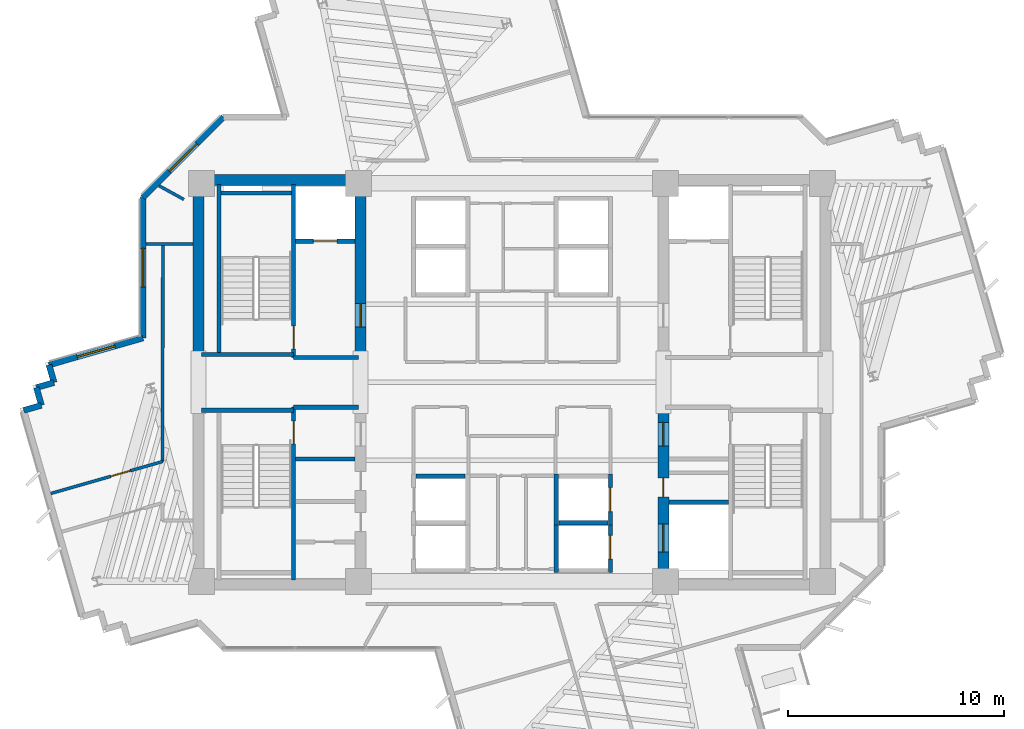
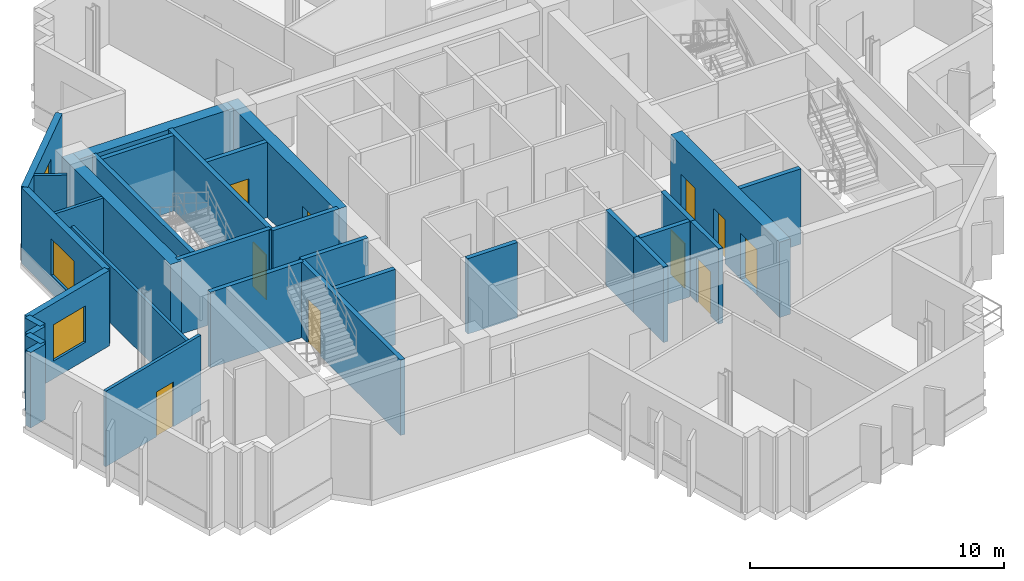
# One storey, part 6 of 14: 32 walls, 10 doors, 3 windows, 13 openings.
"""IFC4 building model written with IfcOpenShell, lengths in metres."""

import ifcopenshell
import ifcopenshell.guid

model = None  # the IFC model being written
_history = None  # IfcOwnerHistory: only IFC2X3 demands one
_inside = {}  # id of a spatial element -> (the spatial element, [elements in it])
_under = {}  # id of a project, library or spatial element -> (it, [spatial elements below it])
_declared = {}  # id of a project -> (the project, [libraries it declares])
_typed = {}  # id of a type object -> (the type object, [elements of that type])
_made_of = {}  # id of a material, layer set ... -> (it, [elements and type objects made of it])


def new_model(schema):
    """Start an empty IFC model of exactly this schema.

    Asked for "IFC4X3", IfcOpenShell would pick the latest addendum, in which some entities
    have other attributes; the version numbers below select the first issue.
    IFC2X3 requires an IfcOwnerHistory on every rooted entity: one is made here for all.
    """
    global model, _history
    if schema == "IFC4X3":
        model = ifcopenshell.file(schema_version=(4, 3, 0, 0))
    else:
        model = ifcopenshell.file(schema=schema)
    _inside.clear()
    _under.clear()
    _declared.clear()
    _typed.clear()
    _made_of.clear()
    _history = None
    if model.schema == "IFC2X3":
        org = make("IfcOrganization", Name="unknown")
        user = make(
            "IfcPersonAndOrganization",
            ThePerson=make("IfcPerson", FamilyName="unknown"),
            TheOrganization=org,
        )
        app = make(
            "IfcApplication",
            ApplicationDeveloper=org,
            Version="unknown",
            ApplicationFullName="unknown",
            ApplicationIdentifier="unknown",
        )
        _history = make(
            "IfcOwnerHistory",
            OwningUser=user,
            OwningApplication=app,
            ChangeAction="ADDED",
            CreationDate=0,
        )
    return model


def make(cls, **values):
    """One entity of the class cls with the attributes given. An attribute that is None is left unset."""
    return model.create_entity(
        cls, **{name: value for name, value in values.items() if value is not None}
    )


def rooted(cls, **values):
    """An entity with a GlobalId (a new one), such as an element, a storey or a relation."""
    return make(cls, GlobalId=ifcopenshell.guid.new(), OwnerHistory=_history, **values)


def si_unit(unit_type, name, prefix=None):
    """IfcSIUnit, for example si_unit("LENGTHUNIT", "METRE", prefix="MILLI")."""
    return make("IfcSIUnit", UnitType=unit_type, Prefix=prefix, Name=name)


def assignment(units):
    """IfcUnitAssignment: the units of a project."""
    return None if units is None else make("IfcUnitAssignment", Units=units)


def point(xyz):
    """IfcCartesianPoint."""
    return None if xyz is None else make("IfcCartesianPoint", Coordinates=xyz)


def direction(xyz):
    """IfcDirection."""
    return None if xyz is None else make("IfcDirection", DirectionRatios=xyz)


def frame(location, z_axis=None, x_axis=None):
    """IfcAxis2Placement3D, a coordinate frame: its origin and axes. An axis left out is left unset."""
    return make(
        "IfcAxis2Placement3D",
        Location=point(location),
        Axis=direction(z_axis),
        RefDirection=direction(x_axis),
    )


def frame_2d(location, x_axis=None):
    """IfcAxis2Placement2D, a coordinate frame in the plane: its origin and x axis."""
    return make(
        "IfcAxis2Placement2D", Location=point(location), RefDirection=direction(x_axis)
    )


def origin():
    """The frame at (0, 0, 0) with its axes left unset."""
    return frame((0.0, 0.0, 0.0))


def place(relative_to, where):
    """IfcLocalPlacement: puts the frame where relative to a parent placement (None: the world)."""
    return make(
        "IfcLocalPlacement", PlacementRelTo=relative_to, RelativePlacement=where
    )


def context(
    kind, dimensions, precision=None, world=None, true_north=None, identifier=None
):
    """IfcGeometricRepresentationContext, for example the 3D "Model" context."""
    return make(
        "IfcGeometricRepresentationContext",
        ContextIdentifier=identifier,
        ContextType=kind,
        CoordinateSpaceDimension=dimensions,
        Precision=precision,
        WorldCoordinateSystem=world,
        TrueNorth=true_north,
    )


def subcontext(parent, identifier, kind, view, scale=None):
    """IfcGeometricRepresentationSubContext, for example "Body" below "Model"."""
    return make(
        "IfcGeometricRepresentationSubContext",
        ContextIdentifier=identifier,
        ContextType=kind,
        ParentContext=parent,
        TargetScale=scale,
        TargetView=view,
    )


def project(units=None, contexts=None):
    """IfcProject with its units and contexts."""
    return rooted(
        "IfcProject",
        Name="project",
        RepresentationContexts=contexts,
        UnitsInContext=assignment(units),
    )


def spatial(cls, under=None, at=None, **own):
    """A site, building, storey or space (cls), placed at a placement, below another one or the project."""
    s = rooted(cls, ObjectPlacement=at, **own)
    if under is not None:
        _under.setdefault(under.id(), (under, []))[1].append(s)
    return s


def profile(cls, at=None, kind="AREA", **sizes):
    """A parametric profile (cls). Its sizes go by their IFC names, for example OverallWidth=200.0."""
    return make(cls, ProfileType=kind, Position=at, **sizes)


def rectangle(**sizes):
    """IfcRectangleProfileDef."""
    return profile("IfcRectangleProfileDef", **sizes)


def extrude(swept, where, along, depth):
    """IfcExtrudedAreaSolid: the profile swept, set in the frame where, extruded along a direction by depth."""
    return make(
        "IfcExtrudedAreaSolid",
        SweptArea=swept,
        Position=where,
        ExtrudedDirection=direction(along),
        Depth=depth,
    )


def shape(context_of_items, identifier, shape_type, items):
    """IfcShapeRepresentation: the items that make up one representation, for example the "Body"."""
    return make(
        "IfcShapeRepresentation",
        ContextOfItems=context_of_items,
        RepresentationIdentifier=identifier,
        RepresentationType=shape_type,
        Items=items,
    )


def source(mapping_origin, context_of_items, identifier, shape_type, items):
    """IfcRepresentationMap: a shape defined once, which mapped items show again and again."""
    return make(
        "IfcRepresentationMap",
        MappingOrigin=mapping_origin,
        MappedRepresentation=shape(context_of_items, identifier, shape_type, items),
    )


def transform(
    local_origin,
    x_axis=None,
    y_axis=None,
    z_axis=None,
    scale=None,
    scale2=None,
    scale3=None,
    uniform=True,
):
    """IfcCartesianTransformationOperator3D, or its non-uniform kind. x_axis, y_axis, z_axis: its Axis1, 2, 3."""
    if uniform:
        return make(
            "IfcCartesianTransformationOperator3D",
            Axis1=direction(x_axis),
            Axis2=direction(y_axis),
            LocalOrigin=point(local_origin),
            Scale=scale,
            Axis3=direction(z_axis),
        )
    return make(
        "IfcCartesianTransformationOperator3DnonUniform",
        Axis1=direction(x_axis),
        Axis2=direction(y_axis),
        LocalOrigin=point(local_origin),
        Scale=scale,
        Axis3=direction(z_axis),
        Scale2=scale2,
        Scale3=scale3,
    )


def mapped(mapping_source, mapping_target):
    """IfcMappedItem: shows the shape of a source again, moved by a transform."""
    return make(
        "IfcMappedItem", MappingSource=mapping_source, MappingTarget=mapping_target
    )


def material(Name=None, Category=None):
    """IfcMaterial."""
    return make("IfcMaterial", Name=Name, Category=Category)


def layer(
    of_material, thickness, ventilated=None, Name=None, Category=None, Priority=None
):
    """IfcMaterialLayer: one layer of a wall or slab, of a material (None: an air gap)."""
    return make(
        "IfcMaterialLayer",
        Material=of_material,
        LayerThickness=thickness,
        IsVentilated=ventilated,
        Name=Name,
        Category=Category,
        Priority=Priority,
    )


def layer_set(layers, Name=None):
    """IfcMaterialLayerSet."""
    return make("IfcMaterialLayerSet", MaterialLayers=layers, LayerSetName=Name)


def made_of(thing, what):
    """Note that an element or type object is made of a material, layer set ...; save() writes the relation."""
    if what is not None:
        _made_of.setdefault(what.id(), (what, []))[1].append(thing)
    return thing


def type_object(cls, material=None, **own):
    """A type object (cls), such as IfcWallType, which elements share."""
    return made_of(rooted(cls, **own), material)


def element(
    cls,
    number,
    at=None,
    inside=None,
    cuts=None,
    type_object=None,
    material=None,
    context=None,
    identifier="Body",
    shape_type=None,
    held_by="IfcProductDefinitionShape",
    body=None,
    shapes=None,
    **own,
):
    """One element of the class cls, such as IfcWall. Its Tag is "e" and its number.

    at: its placement. inside: the storey or other place that contains it. cuts: it is an
    opening in that element (IfcRelVoidsElement). A single representation is given by context,
    identifier, shape_type and body (its items); several are given by shapes. held_by: the class
    of the entity that holds the representations. save() writes the other relations.
    """
    e = rooted(cls, Tag="e%d" % number, ObjectPlacement=at, **own)
    if body is not None:
        shapes = [shape(context, identifier, shape_type, body)]
    if shapes is not None:
        e.Representation = make(held_by, Representations=shapes)
    if inside is not None:
        _inside.setdefault(inside.id(), (inside, []))[1].append(e)
    if cuts is not None:
        rooted(
            "IfcRelVoidsElement", RelatingBuildingElement=cuts, RelatedOpeningElement=e
        )
    if type_object is not None:
        _typed.setdefault(type_object.id(), (type_object, []))[1].append(e)
    return made_of(e, material)


def fill(opening, filler):
    """IfcRelFillsElement: the door or window that sits in an opening."""
    return rooted(
        "IfcRelFillsElement",
        RelatingOpeningElement=opening,
        RelatedBuildingElement=filler,
    )


def aggregate(whole, parts):
    """IfcRelAggregates: a whole, such as a stair, and the parts it consists of."""
    return rooted("IfcRelAggregates", RelatingObject=whole, RelatedObjects=parts)


def save(model, path):
    """Write the relations noted so far, then the file.

    IfcRelAggregates (storeys below a building ...), IfcRelContainedInSpatialStructure (elements
    in a storey), IfcRelDefinesByType, IfcRelAssociatesMaterial and IfcRelDeclares: one each for
    every whole, place, type object, material and project.
    """
    for whole, parts in _under.values():
        aggregate(whole, parts)
    for where, things in _inside.values():
        rooted(
            "IfcRelContainedInSpatialStructure",
            RelatedElements=things,
            RelatingStructure=where,
        )
    for kind, things in _typed.values():
        rooted("IfcRelDefinesByType", RelatedObjects=things, RelatingType=kind)
    for what, things in _made_of.values():
        rooted("IfcRelAssociatesMaterial", RelatedObjects=things, RelatingMaterial=what)
    for by, libraries in _declared.values():
        rooted("IfcRelDeclares", RelatingContext=by, RelatedDefinitions=libraries)
    model.write(path)


model = new_model("IFC4")

# Units and contexts
model_context = context("Model", 3, precision=1e-05, world=origin(), true_north=direction((0.0, 1.0)))
body_context = subcontext(model_context, "Body", "Model", "MODEL_VIEW")
ifc_project = project(units=[si_unit("LENGTHUNIT", "METRE"), si_unit("AREAUNIT", "SQUARE_METRE"), si_unit("VOLUMEUNIT", "CUBIC_METRE"), si_unit("PLANEANGLEUNIT", "RADIAN"), si_unit("MASSUNIT", "GRAM", prefix="KILO")], contexts=[model_context])

# Site, building, storey
site_placement = place(None, origin())
site = spatial("IfcSite", under=ifc_project, at=site_placement, CompositionType="ELEMENT")
building_placement = place(site_placement, origin())
building = spatial("IfcBuilding", under=site, at=building_placement, Name="Zahravan Cultural Tower", CompositionType="ELEMENT")
storey_placement = place(building_placement, frame((0.0, 0.0, 209.699951171875)))
storey = spatial("IfcBuildingStorey", under=building, at=storey_placement, Name="L49", CompositionType="ELEMENT", Elevation=209.699951171875)

# Wall, opening, door
ifc_material_1 = material(Name="Concrete C60/75", Category="concrete")
ifc_layer_1 = layer(ifc_material_1, 0.5)
ifc_layer_set_1 = layer_set([ifc_layer_1], Name="Concrete C60/75")
wall_type_1 = type_object("IfcWallType", Name="CW-SHEAR-500-C60", PredefinedType="SHEAR", material=ifc_layer_set_1)
wall_1_placement = place(storey_placement, frame((29.0, 28.050048828125, 0.0), z_axis=(0.0, 0.0, 1.0), x_axis=(0.0, 1.0, 0.0)))
wall_1 = element("IfcWall", 1, at=wall_1_placement, inside=storey, type_object=wall_type_1, Name="L49 Core Shear Wall CW-W-EN-L49", PredefinedType="SHEAR", context=body_context, shape_type="SweptSolid", body=[
    extrude(rectangle(XDim=8.550048828125, YDim=0.5, at=frame_2d((4.27490234375, 0.0))), origin(), (0.0, 0.0, 1.0), 3.6201171875),
])
opening_1_placement = place(wall_1_placement, frame((1.5, 0.0, 0.0)))
opening_1 = element("IfcOpeningElement", 2, at=opening_1_placement, cuts=wall_1, Name="Opening D-L49-05", PredefinedType="OPENING", context=body_context, shape_type="SweptSolid", body=[
    extrude(rectangle(XDim=1.10009765625, YDim=2.199951171875, at=frame_2d((0.550048828125, 1.10009765625))), frame((0.0, 0.260009765625, 0.0), z_axis=(0.0, -1.0, 0.0), x_axis=(1.0, 0.0, 0.0)), (0.0, 0.0, 1.0), 0.52001953125),
])
ifc_material_2 = material(Name="Steel ASTM A572 Grade 50", Category="steel")
door_type_1 = type_object("IfcDoorType", Name="DR-LOBBY-1100", OperationType="NOTDEFINED", PredefinedType="DOOR", material=ifc_material_2)
shared_shape_1 = source(origin(), body_context, "Body", "SweptSolid", [
    extrude(rectangle(XDim=1.10009765625, YDim=2.199951171875, at=frame_2d((0.550048828125, 1.10009765625))), frame((0.0, 0.02490234375, 0.0), z_axis=(0.0, -1.0, 0.0), x_axis=(1.0, 0.0, 0.0)), (0.0, 0.0, 1.0), 0.050048828125),
])
door_1_placement = place(opening_1_placement, origin())
door_1 = element("IfcDoor", 3, at=door_1_placement, inside=storey, type_object=door_type_1, Name="L49 Door D-L49-05", OperationType="SINGLE_SWING_LEFT", OverallHeight=2.199951171875, OverallWidth=1.10009765625, PredefinedType="DOOR", context=body_context, shape_type="MappedRepresentation", body=[
    mapped(shared_shape_1, transform((0.0, 0.0, 0.0), x_axis=(1.0, 0.0, 0.0), y_axis=(0.0, 1.0, 0.0), z_axis=(0.0, 0.0, 1.0), scale=1.0)),
])
fill(opening_1, door_1)

# Wall, openings, doors
wall_2_placement = place(storey_placement, frame((43.0, 17.39990234375, 0.0), z_axis=(0.0, 0.0, 1.0), x_axis=(0.0, 1.0, 0.0)))
wall_2 = element("IfcWall", 4, at=wall_2_placement, inside=storey, type_object=wall_type_1, Name="L49 Core Shear Wall CW-E-WS-L49", PredefinedType="SHEAR", context=body_context, shape_type="SweptSolid", body=[
    extrude(rectangle(XDim=8.550048828125, YDim=0.5, at=frame_2d((4.27490234375, 0.0))), origin(), (0.0, 0.0, 1.0), 3.6201171875),
])
opening_2_placement = place(wall_2_placement, frame((6.64990234375, 0.0, 0.0)))
opening_2 = element("IfcOpeningElement", 5, at=opening_2_placement, cuts=wall_2, Name="Opening D-L49-08", PredefinedType="OPENING", context=body_context, shape_type="SweptSolid", body=[
    extrude(rectangle(XDim=1.10009765625, YDim=2.199951171875, at=frame_2d((0.550048828125, 1.10009765625))), frame((0.0, 0.260009765625, 0.0), z_axis=(0.0, -1.0, 0.0), x_axis=(1.0, 0.0, 0.0)), (0.0, 0.0, 1.0), 0.52001953125),
])
opening_3_placement = place(wall_2_placement, frame((1.75, 0.0, 0.0)))
opening_3 = element("IfcOpeningElement", 6, at=opening_3_placement, cuts=wall_2, Name="Opening LD-L49-03", PredefinedType="OPENING", context=body_context, shape_type="SweptSolid", body=[
    extrude(rectangle(XDim=1.300048828125, YDim=2.199951171875, at=frame_2d((0.64990234375, 1.10009765625))), frame((0.0, 0.260009765625, 0.0), z_axis=(0.0, -1.0, 0.0), x_axis=(1.0, 0.0, 0.0)), (0.0, 0.0, 1.0), 0.52001953125),
])
opening_4_placement = place(wall_2_placement, frame((4.300048828125, 0.0, 0.0)))
opening_4 = element("IfcOpeningElement", 7, at=opening_4_placement, cuts=wall_2, Name="Opening D-L49-12", PredefinedType="OPENING", context=body_context, shape_type="SweptSolid", body=[
    extrude(rectangle(XDim=0.8798828125, YDim=2.10009765625, at=frame_2d((0.43994140625, 1.050048828125))), frame((0.0, 0.260009765625, 0.0), z_axis=(0.0, -1.0, 0.0), x_axis=(1.0, 0.0, 0.0)), (0.0, 0.0, 1.0), 0.52001953125),
])
door_2_placement = place(opening_2_placement, origin())
door_2 = element("IfcDoor", 8, at=door_2_placement, inside=storey, type_object=door_type_1, Name="L49 Door D-L49-08", OperationType="SINGLE_SWING_RIGHT", OverallHeight=2.199951171875, OverallWidth=1.10009765625, PredefinedType="DOOR", context=body_context, shape_type="MappedRepresentation", body=[
    mapped(shared_shape_1, transform((0.0, 0.0, 0.0), x_axis=(1.0, 0.0, 0.0), y_axis=(0.0, 1.0, 0.0), z_axis=(0.0, 0.0, 1.0), scale=1.0)),
])
fill(opening_2, door_2)
door_type_2 = type_object("IfcDoorType", Name="DR-LIFT-1300", OperationType="DOUBLE_DOOR_SLIDING", PredefinedType="DOOR", material=ifc_material_2)
shared_shape_2 = source(origin(), body_context, "Body", "SweptSolid", [
    extrude(rectangle(XDim=1.300048828125, YDim=2.199951171875, at=frame_2d((0.64990234375, 1.10009765625))), frame((0.0, 0.02490234375, 0.0), z_axis=(0.0, -1.0, 0.0), x_axis=(1.0, 0.0, 0.0)), (0.0, 0.0, 1.0), 0.050048828125),
])
door_3_placement = place(opening_3_placement, origin())
door_3 = element("IfcDoor", 9, at=door_3_placement, inside=storey, type_object=door_type_2, Name="L49 Door LD-L49-03", OperationType="DOUBLE_DOOR_SLIDING", OverallHeight=2.199951171875, OverallWidth=1.300048828125, PredefinedType="DOOR", context=body_context, shape_type="MappedRepresentation", body=[
    mapped(shared_shape_2, transform((0.0, 0.0, 0.0), x_axis=(1.0, 0.0, 0.0), y_axis=(0.0, 1.0, 0.0), z_axis=(0.0, 0.0, 1.0), scale=1.0)),
])
fill(opening_3, door_3)
door_type_3 = type_object("IfcDoorType", Name="DR-SVC-880", OperationType="NOTDEFINED", PredefinedType="DOOR", material=ifc_material_2)
shared_shape_3 = source(origin(), body_context, "Body", "SweptSolid", [
    extrude(rectangle(XDim=0.8798828125, YDim=2.10009765625, at=frame_2d((0.43994140625, 1.050048828125))), frame((0.0, 0.02490234375, 0.0), z_axis=(0.0, -1.0, 0.0), x_axis=(1.0, 0.0, 0.0)), (0.0, 0.0, 1.0), 0.050048828125),
])
door_4_placement = place(opening_4_placement, origin())
door_4 = element("IfcDoor", 10, at=door_4_placement, inside=storey, type_object=door_type_3, Name="L49 Door D-L49-12", OperationType="SINGLE_SWING_RIGHT", OverallHeight=2.10009765625, OverallWidth=0.8798828125, PredefinedType="DOOR", context=body_context, shape_type="MappedRepresentation", body=[
    mapped(shared_shape_3, transform((0.0, 0.0, 0.0), x_axis=(1.0, 0.0, 0.0), y_axis=(0.0, 1.0, 0.0), z_axis=(0.0, 0.0, 1.0), scale=1.0)),
])
fill(opening_4, door_4)

# Wall, opening, window
ifc_material_3 = material(Name="Precast concrete C40/50", Category="concrete")
ifc_layer_2 = layer(ifc_material_3, 0.280029296875)
ifc_layer_set_2 = layer_set([ifc_layer_2], Name="Precast concrete C40/50")
wall_type_2 = type_object("IfcWallType", Name="EW-TC-280", PredefinedType="SOLIDWALL", material=ifc_layer_set_2)
wall_3_placement = place(storey_placement, frame((14.593505859375, 27.804931640625, 0.0), z_axis=(0.0, 0.0, 1.0), x_axis=(0.961446468673, 0.274992159663, 0.0)))
wall_3 = element("IfcWall", 11, at=wall_3_placement, inside=storey, type_object=wall_type_2, Name="L49 Exterior Masonry Frame Wall 37", PredefinedType="SOLIDWALL", context=body_context, shape_type="SweptSolid", body=[
    extrude(rectangle(XDim=4.520751953125, YDim=0.280029296875, at=frame_2d((2.26025390625, 0.0))), origin(), (0.0, 0.0, 1.0), 3.6201171875),
])
opening_5_placement = place(wall_3_placement, frame((1.360107421875, 0.0, 0.85009765625)))
opening_5 = element("IfcOpeningElement", 12, at=opening_5_placement, cuts=wall_3, Name="Opening WN-02", PredefinedType="OPENING", context=body_context, shape_type="SweptSolid", body=[
    extrude(rectangle(XDim=1.800048828125, YDim=1.75, at=frame_2d((0.89990234375, 0.875))), frame((0.0, 0.14990234375, 0.0), z_axis=(0.0, -1.0, 0.0), x_axis=(1.0, 0.0, 0.0)), (0.0, 0.0, 1.0), 0.300048828125),
])
ifc_material_4 = material(Name="Low-E solar-control double glazing", Category="glass")
window_type = type_object("IfcWindowType", Name="WN-REC-1800X1750", PartitioningType="DOUBLE_PANEL_VERTICAL", PredefinedType="WINDOW", material=ifc_material_4)
shared_shape_4 = source(origin(), body_context, "Body", "SweptSolid", [
    extrude(rectangle(XDim=1.800048828125, YDim=1.75, at=frame_2d((0.89990234375, 0.875))), frame((0.0, 0.030029296875, 0.0), z_axis=(0.0, -1.0, 0.0), x_axis=(1.0, 0.0, 0.0)), (0.0, 0.0, 1.0), 0.06005859375),
])
window_1_placement = place(opening_5_placement, origin())
window_1 = element("IfcWindow", 13, at=window_1_placement, inside=storey, type_object=window_type, Name="L49 Recessed Solar Window 04", OverallHeight=1.75, OverallWidth=1.800048828125, PartitioningType="DOUBLE_PANEL_VERTICAL", PredefinedType="WINDOW", context=body_context, shape_type="MappedRepresentation", body=[
    mapped(shared_shape_4, transform((0.0, 0.0, 0.0), x_axis=(1.0, 0.0, 0.0), y_axis=(0.0, 1.0, 0.0), z_axis=(0.0, 0.0, 1.0), scale=1.0)),
])
fill(opening_5, window_1)

wall_4_placement = place(storey_placement, frame((18.93994140625, 29.048095703125, 0.0), z_axis=(0.0, 0.0, 1.0), x_axis=(0.0, 1.0, 0.0)))
wall_4 = element("IfcWall", 14, at=wall_4_placement, inside=storey, type_object=wall_type_2, Name="L49 Exterior Masonry Frame Wall 38", PredefinedType="SOLIDWALL", context=body_context, shape_type="SweptSolid", body=[
    extrude(rectangle(XDim=6.493896484375, YDim=0.280029296875, at=frame_2d((3.2470703125, 0.0))), origin(), (0.0, 0.0, 1.0), 3.6201171875),
])
opening_6_placement = place(wall_4_placement, frame((2.346923828125, 0.0, 0.85009765625)))
opening_6 = element("IfcOpeningElement", 15, at=opening_6_placement, cuts=wall_4, Name="Opening WN-02", PredefinedType="OPENING", context=body_context, shape_type="SweptSolid", body=[
    extrude(rectangle(XDim=1.800048828125, YDim=1.75, at=frame_2d((0.89990234375, 0.875))), frame((0.0, 0.14990234375, 0.0), z_axis=(0.0, -1.0, 0.0), x_axis=(1.0, 0.0, 0.0)), (0.0, 0.0, 1.0), 0.300048828125),
])
window_2_placement = place(opening_6_placement, origin())
window_2 = element("IfcWindow", 16, at=window_2_placement, inside=storey, type_object=window_type, Name="L49 Recessed Solar Window 05", OverallHeight=1.75, OverallWidth=1.800048828125, PartitioningType="DOUBLE_PANEL_VERTICAL", PredefinedType="WINDOW", context=body_context, shape_type="MappedRepresentation", body=[
    mapped(shared_shape_4, transform((0.0, 0.0, 0.0), x_axis=(1.0, 0.0, 0.0), y_axis=(0.0, 1.0, 0.0), z_axis=(0.0, 0.0, 1.0), scale=1.0)),
])
fill(opening_6, window_2)

wall_5_placement = place(storey_placement, frame((18.93994140625, 35.5419921875, 0.0), z_axis=(0.0, 0.0, 1.0), x_axis=(0.707106781187, 0.707106781187, 0.0)))
wall_5 = element("IfcWall", 17, at=wall_5_placement, inside=storey, type_object=wall_type_2, Name="L49 Exterior Masonry Frame Wall 39", PredefinedType="SOLIDWALL", context=body_context, shape_type="SweptSolid", body=[
    extrude(rectangle(XDim=5.258056640625, YDim=0.280029296875, at=frame_2d((2.62890625, 0.0))), origin(), (0.0, 0.0, 1.0), 3.6201171875),
])
opening_7_placement = place(wall_5_placement, frame((1.72900390625, 0.0, 0.85009765625)))
opening_7 = element("IfcOpeningElement", 18, at=opening_7_placement, cuts=wall_5, Name="Opening WN-02", PredefinedType="OPENING", context=body_context, shape_type="SweptSolid", body=[
    extrude(rectangle(XDim=1.800048828125, YDim=1.75, at=frame_2d((0.89990234375, 0.875))), frame((0.0, 0.14990234375, 0.0), z_axis=(0.0, -1.0, 0.0), x_axis=(1.0, 0.0, 0.0)), (0.0, 0.0, 1.0), 0.300048828125),
])
window_3_placement = place(opening_7_placement, origin())
window_3 = element("IfcWindow", 19, at=window_3_placement, inside=storey, type_object=window_type, Name="L49 Recessed Solar Window 06", OverallHeight=1.75, OverallWidth=1.800048828125, PartitioningType="DOUBLE_PANEL_VERTICAL", PredefinedType="WINDOW", context=body_context, shape_type="MappedRepresentation", body=[
    mapped(shared_shape_4, transform((0.0, 0.0, 0.0), x_axis=(1.0, 0.0, 0.0), y_axis=(0.0, 1.0, 0.0), z_axis=(0.0, 0.0, 1.0), scale=1.0)),
])
fill(opening_7, window_3)

# Wall, opening, door
ifc_material_5 = material(Name="Gypsum plasterboard partition")
ifc_layer_3 = layer(ifc_material_5, 0.139892578125)
ifc_layer_set_3 = layer_set([ifc_layer_3], Name="Gypsum plasterboard partition")
wall_type_3 = type_object("IfcWallType", Name="W-PART-140", PredefinedType="PARTITIONING", material=ifc_layer_set_3)
wall_6_placement = place(storey_placement, frame((19.85009765625, 23.338134765625, 0.0), z_axis=(0.0, 0.0, 1.0), x_axis=(-0.961455430103, -0.274960826164, 0.0)))
wall_6 = element("IfcWall", 20, at=wall_6_placement, inside=storey, type_object=wall_type_3, Name="L49 Interior Wall 105", PredefinedType="PARTITIONING", context=body_context, shape_type="SweptSolid", body=[
    extrude(rectangle(XDim=5.380859375, YDim=0.139892578125, at=frame_2d((2.6904296875, 0.0))), origin(), (0.0, 0.0, 1.0), 3.6201171875),
])
opening_8_placement = place(wall_6_placement, frame((1.55078125, 0.0, 0.0)))
opening_8 = element("IfcOpeningElement", 21, at=opening_8_placement, cuts=wall_6, Name="Opening D-L49-28", PredefinedType="OPENING", context=body_context, shape_type="SweptSolid", body=[
    extrude(rectangle(XDim=0.949951171875, YDim=2.14990234375, at=frame_2d((0.47509765625, 1.074951171875))), frame((0.0, 0.079833984375, 0.0), z_axis=(0.0, -1.0, 0.0), x_axis=(1.0, 0.0, 0.0)), (0.0, 0.0, 1.0), 0.159912109375),
])
ifc_material_6 = material(Name="Anodised bronze-aluminium mullion", Category="aluminium")
door_type_4 = type_object("IfcDoorType", Name="DR-ROOM-950", OperationType="NOTDEFINED", PredefinedType="DOOR", material=ifc_material_6)
shared_shape_5 = source(origin(), body_context, "Body", "SweptSolid", [
    extrude(rectangle(XDim=0.949951171875, YDim=2.14990234375, at=frame_2d((0.47509765625, 1.074951171875))), frame((0.0, 0.02490234375, 0.0), z_axis=(0.0, -1.0, 0.0), x_axis=(1.0, 0.0, 0.0)), (0.0, 0.0, 1.0), 0.050048828125),
])
door_5_placement = place(opening_8_placement, origin())
door_5 = element("IfcDoor", 22, at=door_5_placement, inside=storey, type_object=door_type_4, Name="L49 Door D-L49-28", OperationType="SINGLE_SWING_RIGHT", OverallHeight=2.14990234375, OverallWidth=0.949951171875, PredefinedType="DOOR", context=body_context, shape_type="MappedRepresentation", body=[
    mapped(shared_shape_5, transform((0.0, 0.0, 0.0), x_axis=(1.0, 0.0, 0.0), y_axis=(0.0, 1.0, 0.0), z_axis=(0.0, 0.0, 1.0), scale=1.0)),
])
fill(opening_8, door_5)

ifc_material_7 = material(Name="Concrete C45/55", Category="concrete")
ifc_layer_4 = layer(ifc_material_7, 0.199951171875)
ifc_layer_set_4 = layer_set([ifc_layer_4], Name="Concrete C45/55")
wall_type_4 = type_object("IfcWallType", Name="W-SHAFT-200", PredefinedType="SOLIDWALL", material=ifc_layer_set_4)
wall_7_placement = place(storey_placement, frame((25.89990234375, 17.85009765625, 0.0), z_axis=(0.0, 0.0, 1.0), x_axis=(0.0, 1.0, 0.0)))
wall_7 = element("IfcWall", 23, at=wall_7_placement, inside=storey, type_object=wall_type_4, Name="L49 Interior Wall 005", PredefinedType="SOLIDWALL", context=body_context, shape_type="SweptSolid", body=[
    extrude(rectangle(XDim=8.0, YDim=0.199951171875, at=frame_2d((4.0, 0.0))), origin(), (0.0, 0.0, 1.0), 3.6201171875),
])
opening_9_placement = place(wall_7_placement, frame((6.300048828125, 0.0, 0.0)))
opening_9 = element("IfcOpeningElement", 24, at=opening_9_placement, cuts=wall_7, Name="Opening D-L49-04", PredefinedType="OPENING", context=body_context, shape_type="SweptSolid", body=[
    extrude(rectangle(XDim=1.050048828125, YDim=2.14990234375, at=frame_2d((0.52490234375, 1.074951171875))), frame((0.0, 0.10986328125, 0.0), z_axis=(0.0, -1.0, 0.0), x_axis=(1.0, 0.0, 0.0)), (0.0, 0.0, 1.0), 0.219970703125),
])
door_type_5 = type_object("IfcDoorType", Name="DR-STAIR-1050", OperationType="NOTDEFINED", PredefinedType="DOOR", material=ifc_material_2)
shared_shape_6 = source(origin(), body_context, "Body", "SweptSolid", [
    extrude(rectangle(XDim=1.050048828125, YDim=2.14990234375, at=frame_2d((0.52490234375, 1.074951171875))), frame((0.0, 0.02490234375, 0.0), z_axis=(0.0, -1.0, 0.0), x_axis=(1.0, 0.0, 0.0)), (0.0, 0.0, 1.0), 0.050048828125),
])
door_6_placement = place(opening_9_placement, origin())
door_6 = element("IfcDoor", 25, at=door_6_placement, inside=storey, type_object=door_type_5, Name="L49 Door D-L49-04", OperationType="SINGLE_SWING_RIGHT", OverallHeight=2.14990234375, OverallWidth=1.050048828125, PredefinedType="DOOR", context=body_context, shape_type="MappedRepresentation", body=[
    mapped(shared_shape_6, transform((0.0, 0.0, 0.0), x_axis=(1.0, 0.0, 0.0), y_axis=(0.0, 1.0, 0.0), z_axis=(0.0, 0.0, 1.0), scale=1.0)),
])
fill(opening_9, door_6)

wall_8_placement = place(storey_placement, frame((25.89990234375, 28.14990234375, 0.0), z_axis=(0.0, 0.0, 1.0), x_axis=(0.0, 1.0, 0.0)))
wall_8 = element("IfcWall", 26, at=wall_8_placement, inside=storey, type_object=wall_type_4, Name="L49 Interior Wall 006", PredefinedType="SOLIDWALL", context=body_context, shape_type="SweptSolid", body=[
    extrude(rectangle(XDim=8.0, YDim=0.199951171875, at=frame_2d((4.0, 0.0))), origin(), (0.0, 0.0, 1.0), 3.6201171875),
])
opening_10_placement = place(wall_8_placement, frame((0.39990234375, 0.0, 0.0)))
opening_10 = element("IfcOpeningElement", 27, at=opening_10_placement, cuts=wall_8, Name="Opening D-L49-01", PredefinedType="OPENING", context=body_context, shape_type="SweptSolid", body=[
    extrude(rectangle(XDim=1.050048828125, YDim=2.14990234375, at=frame_2d((0.52490234375, 1.074951171875))), frame((0.0, 0.10986328125, 0.0), z_axis=(0.0, -1.0, 0.0), x_axis=(1.0, 0.0, 0.0)), (0.0, 0.0, 1.0), 0.219970703125),
])
door_7_placement = place(opening_10_placement, origin())
door_7 = element("IfcDoor", 28, at=door_7_placement, inside=storey, type_object=door_type_5, Name="L49 Door D-L49-01", OperationType="SINGLE_SWING_LEFT", OverallHeight=2.14990234375, OverallWidth=1.050048828125, PredefinedType="DOOR", context=body_context, shape_type="MappedRepresentation", body=[
    mapped(shared_shape_6, transform((0.0, 0.0, 0.0), x_axis=(1.0, 0.0, 0.0), y_axis=(0.0, 1.0, 0.0), z_axis=(0.0, 0.0, 1.0), scale=1.0)),
])
fill(opening_10, door_7)

wall_9_placement = place(storey_placement, frame((26.0, 33.52001953125, 0.0), z_axis=(0.0, 0.0, 1.0), x_axis=(1.0, 0.0, 0.0)))
wall_9 = element("IfcWall", 29, at=wall_9_placement, inside=storey, type_object=wall_type_4, Name="L49 Interior Wall 021", PredefinedType="SOLIDWALL", context=body_context, shape_type="SweptSolid", body=[
    extrude(rectangle(XDim=2.75, YDim=0.199951171875, at=frame_2d((1.375, 0.0))), origin(), (0.0, 0.0, 1.0), 3.6201171875),
])
opening_11_placement = place(wall_9_placement, frame((0.820068359375, 0.0, 0.0)))
opening_11 = element("IfcOpeningElement", 30, at=opening_11_placement, cuts=wall_9, Name="Opening LD-L49-01", PredefinedType="OPENING", context=body_context, shape_type="SweptSolid", body=[
    extrude(rectangle(XDim=1.10009765625, YDim=2.14990234375, at=frame_2d((0.550048828125, 1.074951171875))), frame((0.0, 0.10986328125, 0.0), z_axis=(0.0, -1.0, 0.0), x_axis=(1.0, 0.0, 0.0)), (0.0, 0.0, 1.0), 0.219970703125),
])
door_type_6 = type_object("IfcDoorType", Name="DR-LIFT-1100", OperationType="DOUBLE_DOOR_SLIDING", PredefinedType="DOOR", material=ifc_material_2)
shared_shape_7 = source(origin(), body_context, "Body", "SweptSolid", [
    extrude(rectangle(XDim=1.10009765625, YDim=2.14990234375, at=frame_2d((0.550048828125, 1.074951171875))), frame((0.0, 0.02490234375, 0.0), z_axis=(0.0, -1.0, 0.0), x_axis=(1.0, 0.0, 0.0)), (0.0, 0.0, 1.0), 0.050048828125),
])
door_8_placement = place(opening_11_placement, origin())
door_8 = element("IfcDoor", 31, at=door_8_placement, inside=storey, type_object=door_type_6, Name="L49 Door LD-L49-01", OperationType="DOUBLE_DOOR_SLIDING", OverallHeight=2.14990234375, OverallWidth=1.10009765625, PredefinedType="DOOR", context=body_context, shape_type="MappedRepresentation", body=[
    mapped(shared_shape_7, transform((0.0, 0.0, 0.0), x_axis=(1.0, 0.0, 0.0), y_axis=(0.0, 1.0, 0.0), z_axis=(0.0, 0.0, 1.0), scale=1.0)),
])
fill(opening_11, door_8)

wall_10_placement = place(storey_placement, frame((40.550048828125, 20.39990234375, 0.0), z_axis=(0.0, 0.0, 1.0), x_axis=(0.0, 1.0, 0.0)))
wall_10 = element("IfcWall", 32, at=wall_10_placement, inside=storey, type_object=wall_type_4, Name="L49 Interior Wall 051", PredefinedType="SOLIDWALL", context=body_context, shape_type="SweptSolid", body=[
    extrude(rectangle(XDim=2.35009765625, YDim=0.199951171875, at=frame_2d((1.175048828125, 0.0))), origin(), (0.0, 0.0, 1.0), 3.6201171875),
])
opening_12_placement = place(wall_10_placement, frame((0.625, 0.0, 0.0)))
opening_12 = element("IfcOpeningElement", 33, at=opening_12_placement, cuts=wall_10, Name="Opening LD-L49-06", PredefinedType="OPENING", context=body_context, shape_type="SweptSolid", body=[
    extrude(rectangle(XDim=1.10009765625, YDim=2.14990234375, at=frame_2d((0.550048828125, 1.074951171875))), frame((0.0, 0.10986328125, 0.0), z_axis=(0.0, -1.0, 0.0), x_axis=(1.0, 0.0, 0.0)), (0.0, 0.0, 1.0), 0.219970703125),
])
door_9_placement = place(opening_12_placement, origin())
door_9 = element("IfcDoor", 34, at=door_9_placement, inside=storey, type_object=door_type_6, Name="L49 Door LD-L49-06", OperationType="DOUBLE_DOOR_SLIDING", OverallHeight=2.14990234375, OverallWidth=1.10009765625, PredefinedType="DOOR", context=body_context, shape_type="MappedRepresentation", body=[
    mapped(shared_shape_7, transform((0.0, 0.0, 0.0), x_axis=(1.0, 0.0, 0.0), y_axis=(0.0, 1.0, 0.0), z_axis=(0.0, 0.0, 1.0), scale=1.0)),
])
fill(opening_12, door_9)

wall_11_placement = place(storey_placement, frame((40.550048828125, 18.199951171875, 0.0), z_axis=(0.0, 0.0, 1.0), x_axis=(0.0, 1.0, 0.0)))
wall_11 = element("IfcWall", 35, at=wall_11_placement, inside=storey, type_object=wall_type_4, Name="L49 Interior Wall 055", PredefinedType="SOLIDWALL", context=body_context, shape_type="SweptSolid", body=[
    extrude(rectangle(XDim=2.35009765625, YDim=0.199951171875, at=frame_2d((1.175048828125, 0.0))), origin(), (0.0, 0.0, 1.0), 3.6201171875),
])
opening_13_placement = place(wall_11_placement, frame((0.625, 0.0, 0.0)))
opening_13 = element("IfcOpeningElement", 36, at=opening_13_placement, cuts=wall_11, Name="Opening LD-L49-07", PredefinedType="OPENING", context=body_context, shape_type="SweptSolid", body=[
    extrude(rectangle(XDim=1.10009765625, YDim=2.14990234375, at=frame_2d((0.550048828125, 1.074951171875))), frame((0.0, 0.10986328125, 0.0), z_axis=(0.0, -1.0, 0.0), x_axis=(1.0, 0.0, 0.0)), (0.0, 0.0, 1.0), 0.219970703125),
])
door_10_placement = place(opening_13_placement, origin())
door_10 = element("IfcDoor", 37, at=door_10_placement, inside=storey, type_object=door_type_6, Name="L49 Door LD-L49-07", OperationType="DOUBLE_DOOR_SLIDING", OverallHeight=2.14990234375, OverallWidth=1.10009765625, PredefinedType="DOOR", context=body_context, shape_type="MappedRepresentation", body=[
    mapped(shared_shape_7, transform((0.0, 0.0, 0.0), x_axis=(1.0, 0.0, 0.0), y_axis=(0.0, 1.0, 0.0), z_axis=(0.0, 0.0, 1.0), scale=1.0)),
])
fill(opening_13, door_10)

# Walls
shared_shape_8 = source(origin(), body_context, "Body", "SweptSolid", [
    extrude(rectangle(XDim=8.550048828125, YDim=0.5, at=frame_2d((4.27490234375, 0.0))), origin(), (0.0, 0.0, 1.0), 3.6201171875),
])
wall_12_placement = place(storey_placement, frame((21.5, 28.050048828125, 0.0), z_axis=(0.0, 0.0, 1.0), x_axis=(0.0, 1.0, 0.0)))
element("IfcWall", 38, at=wall_12_placement, inside=storey, type_object=wall_type_1, Name="L49 Core Shear Wall CW-W-WN-L49", PredefinedType="SHEAR", context=body_context, shape_type="MappedRepresentation", body=[
    mapped(shared_shape_8, transform((0.0, 0.0, 0.0), x_axis=(1.0, 0.0, 0.0), y_axis=(0.0, 1.0, 0.0), z_axis=(0.0, 0.0, 1.0), scale=1.0)),
])
shared_shape_9 = source(origin(), body_context, "Body", "SweptSolid", [
    extrude(rectangle(XDim=7.0, YDim=0.5, at=frame_2d((3.5, 0.0))), origin(), (0.0, 0.0, 1.0), 3.6201171875),
])
wall_13_placement = place(storey_placement, frame((21.75, 36.35009765625, 0.0), z_axis=(0.0, 0.0, 1.0), x_axis=(1.0, 0.0, 0.0)))
element("IfcWall", 39, at=wall_13_placement, inside=storey, type_object=wall_type_1, Name="L49 Core Shear Wall CW-W-N-L49", PredefinedType="SHEAR", context=body_context, shape_type="MappedRepresentation", body=[
    mapped(shared_shape_9, transform((0.0, 0.0, 0.0), x_axis=(1.0, 0.0, 0.0), y_axis=(0.0, 1.0, 0.0), z_axis=(0.0, 0.0, 1.0), scale=1.0)),
])
shared_shape_10 = source(origin(), body_context, "Body", "SweptSolid", [
    extrude(rectangle(XDim=0.849853515625, YDim=0.280029296875, at=frame_2d((0.4248046875, 0.0))), origin(), (0.0, 0.0, 1.0), 3.6201171875),
])
for number, where, z_axis, x_axis, name in (
    (40, (13.426513671875, 25.703125, 0.0), (0.0, 0.0, 1.0), (0.961469728335, 0.274910824624, 0.0), "L49 Exterior Masonry Frame Wall 33"),
    (41, (14.24365234375, 25.936767578125, 0.0), (0.0, 0.0, 1.0), (-0.274910824624, 0.961469728335, 0.0), "L49 Exterior Masonry Frame Wall 34"),
    (42, (14.010009765625, 26.75390625, 0.0), (0.0, 0.0, 1.0), (0.961393768724, 0.275176346112, 0.0), "L49 Exterior Masonry Frame Wall 35"),
    (43, (14.8271484375, 26.98779296875, 0.0), (0.0, 0.0, 1.0), (-0.274910824624, 0.961469728335, 0.0), "L49 Exterior Masonry Frame Wall 36"),
):
    element("IfcWall", number, at=place(storey_placement, frame(where, z_axis=z_axis, x_axis=x_axis)), inside=storey, type_object=wall_type_2, Name=name, PredefinedType="SOLIDWALL", context=body_context, shape_type="MappedRepresentation", body=[
        mapped(shared_shape_10, transform((0.0, 0.0, 0.0), x_axis=(1.0, 0.0, 0.0), y_axis=(0.0, 1.0, 0.0), z_axis=(0.0, 0.0, 1.0), scale=1.0)),
    ])
shared_shape_11 = source(origin(), body_context, "Body", "SweptSolid", [
    extrude(rectangle(XDim=7.869873046875, YDim=0.199951171875, at=frame_2d((3.93505859375, 0.0))), origin(), (0.0, 0.0, 1.0), 3.6201171875),
])
wall_14_placement = place(storey_placement, frame((22.449951171875, 28.280029296875, 0.0), z_axis=(0.0, 0.0, 1.0), x_axis=(0.0, 1.0, 0.0)))
element("IfcWall", 44, at=wall_14_placement, inside=storey, type_object=wall_type_4, Name="L49 Interior Wall 002", PredefinedType="SOLIDWALL", context=body_context, shape_type="MappedRepresentation", body=[
    mapped(shared_shape_11, transform((0.0, 0.0, 0.0), x_axis=(1.0, 0.0, 0.0), y_axis=(0.0, 1.0, 0.0), z_axis=(0.0, 0.0, 1.0), scale=1.0)),
])
shared_shape_12 = source(origin(), body_context, "Body", "SweptSolid", [
    extrude(rectangle(XDim=4.25, YDim=0.199951171875, at=frame_2d((2.125, 0.0))), origin(), (0.0, 0.0, 1.0), 3.6201171875),
])
for number, where, z_axis, x_axis, name in (
    (45, (21.64990234375, 25.715087890625, 0.0), (0.0, 0.0, 1.0), (1.0, 0.0, 0.0), "L49 Interior Wall 009"),
    (46, (21.64990234375, 28.284912109375, 0.0), (0.0, 0.0, 1.0), (1.0, 0.0, 0.0), "L49 Interior Wall 011"),
):
    element("IfcWall", number, at=place(storey_placement, frame(where, z_axis=z_axis, x_axis=x_axis)), inside=storey, type_object=wall_type_4, Name=name, PredefinedType="SOLIDWALL", context=body_context, shape_type="MappedRepresentation", body=[
        mapped(shared_shape_12, transform((0.0, 0.0, 0.0), x_axis=(1.0, 0.0, 0.0), y_axis=(0.0, 1.0, 0.0), z_axis=(0.0, 0.0, 1.0), scale=1.0)),
    ])
shared_shape_13 = source(origin(), body_context, "Body", "SweptSolid", [
    extrude(rectangle(XDim=3.0, YDim=0.199951171875, at=frame_2d((1.5, 0.0))), origin(), (0.0, 0.0, 1.0), 3.6201171875),
])
for number, where, z_axis, x_axis, name in (
    (47, (25.89990234375, 25.85009765625, 0.0), (0.0, 0.0, 1.0), (1.0, 0.0, 0.0), "L49 Interior Wall 010"),
    (48, (25.89990234375, 28.14990234375, 0.0), (0.0, 0.0, 1.0), (1.0, 0.0, 0.0), "L49 Interior Wall 012"),
):
    element("IfcWall", number, at=place(storey_placement, frame(where, z_axis=z_axis, x_axis=x_axis)), inside=storey, type_object=wall_type_4, Name=name, PredefinedType="SOLIDWALL", context=body_context, shape_type="MappedRepresentation", body=[
        mapped(shared_shape_13, transform((0.0, 0.0, 0.0), x_axis=(1.0, 0.0, 0.0), y_axis=(0.0, 1.0, 0.0), z_axis=(0.0, 0.0, 1.0), scale=1.0)),
    ])
shared_shape_14 = source(origin(), body_context, "Body", "SweptSolid", [
    extrude(rectangle(XDim=3.25, YDim=0.199951171875, at=frame_2d((1.625, 0.0))), origin(), (0.0, 0.0, 1.0), 3.6201171875),
])
wall_15_placement = place(storey_placement, frame((22.550048828125, 35.75, 0.0), z_axis=(0.0, 0.0, 1.0), x_axis=(1.0, 0.0, 0.0)))
element("IfcWall", 49, at=wall_15_placement, inside=storey, type_object=wall_type_4, Name="L49 Interior Wall 017", PredefinedType="SOLIDWALL", context=body_context, shape_type="MappedRepresentation", body=[
    mapped(shared_shape_14, transform((0.0, 0.0, 0.0), x_axis=(1.0, 0.0, 0.0), y_axis=(0.0, 1.0, 0.0), z_axis=(0.0, 0.0, 1.0), scale=1.0)),
])
shared_shape_15 = source(origin(), body_context, "Body", "SweptSolid", [
    extrude(rectangle(XDim=2.75, YDim=0.199951171875, at=frame_2d((1.375, 0.0))), origin(), (0.0, 0.0, 1.0), 3.6201171875),
])
for number, where, z_axis, x_axis, name in (
    (50, (26.0, 23.449951171875, 0.0), (0.0, 0.0, 1.0), (1.0, 0.0, 0.0), "L49 Interior Wall 023"),
    (51, (43.25, 21.449951171875, 0.0), (0.0, 0.0, 1.0), (1.0, 0.0, 0.0), "L49 Interior Wall 025"),
):
    element("IfcWall", number, at=place(storey_placement, frame(where, z_axis=z_axis, x_axis=x_axis)), inside=storey, type_object=wall_type_4, Name=name, PredefinedType="SOLIDWALL", context=body_context, shape_type="MappedRepresentation", body=[
        mapped(shared_shape_15, transform((0.0, 0.0, 0.0), x_axis=(1.0, 0.0, 0.0), y_axis=(0.0, 1.0, 0.0), z_axis=(0.0, 0.0, 1.0), scale=1.0)),
    ])
shared_shape_16 = source(origin(), body_context, "Body", "SweptSolid", [
    extrude(rectangle(XDim=2.260009765625, YDim=0.199951171875, at=frame_2d((1.1298828125, 0.0))), origin(), (0.0, 0.0, 1.0), 3.6201171875),
])
for number, where, z_axis, x_axis, name in (
    (52, (31.570068359375, 22.64990234375, 0.0), (0.0, 0.0, 1.0), (1.0, 0.0, 0.0), "L49 Interior Wall 046"),
    (53, (38.169921875, 20.5, 0.0), (0.0, 0.0, 1.0), (1.0, 0.0, 0.0), "L49 Interior Wall 052"),
):
    element("IfcWall", number, at=place(storey_placement, frame(where, z_axis=z_axis, x_axis=x_axis)), inside=storey, type_object=wall_type_4, Name=name, PredefinedType="SOLIDWALL", context=body_context, shape_type="MappedRepresentation", body=[
        mapped(shared_shape_16, transform((0.0, 0.0, 0.0), x_axis=(1.0, 0.0, 0.0), y_axis=(0.0, 1.0, 0.0), z_axis=(0.0, 0.0, 1.0), scale=1.0)),
    ])
shared_shape_17 = source(origin(), body_context, "Body", "SweptSolid", [
    extrude(rectangle(XDim=2.35009765625, YDim=0.199951171875, at=frame_2d((1.175048828125, 0.0))), origin(), (0.0, 0.0, 1.0), 3.6201171875),
])
for number, where, z_axis, x_axis, name in (
    (54, (38.050048828125, 20.39990234375, 0.0), (0.0, 0.0, 1.0), (0.0, 1.0, 0.0), "L49 Interior Wall 050"),
    (55, (38.050048828125, 18.199951171875, 0.0), (0.0, 0.0, 1.0), (0.0, 1.0, 0.0), "L49 Interior Wall 054"),
):
    element("IfcWall", number, at=place(storey_placement, frame(where, z_axis=z_axis, x_axis=x_axis)), inside=storey, type_object=wall_type_4, Name=name, PredefinedType="SOLIDWALL", context=body_context, shape_type="MappedRepresentation", body=[
        mapped(shared_shape_17, transform((0.0, 0.0, 0.0), x_axis=(1.0, 0.0, 0.0), y_axis=(0.0, 1.0, 0.0), z_axis=(0.0, 0.0, 1.0), scale=1.0)),
    ])
shared_shape_18 = source(origin(), body_context, "Body", "SweptSolid", [
    extrude(rectangle(XDim=2.1650390625, YDim=0.139892578125, at=frame_2d((1.08251953125, 0.0))), origin(), (0.0, 0.0, 1.0), 3.6201171875),
])
wall_16_placement = place(storey_placement, frame((21.2451171875, 33.39990234375, 0.0), z_axis=(0.0, 0.0, 1.0), x_axis=(-0.999999942778, -0.000338294974, 0.0)))
element("IfcWall", 56, at=wall_16_placement, inside=storey, type_object=wall_type_3, Name="L49 Interior Wall 107", PredefinedType="PARTITIONING", context=body_context, shape_type="MappedRepresentation", body=[
    mapped(shared_shape_18, transform((0.0, 0.0, 0.0), x_axis=(1.0, 0.0, 0.0), y_axis=(0.0, 1.0, 0.0), z_axis=(0.0, 0.0, 1.0), scale=1.0)),
])
shared_shape_19 = source(origin(), body_context, "Body", "SweptSolid", [
    extrude(rectangle(XDim=1.305419921875, YDim=0.139892578125, at=frame_2d((0.65283203125, 0.0))), origin(), (0.0, 0.0, 1.0), 3.6201171875),
])
wall_17_placement = place(storey_placement, frame((19.686279296875, 36.083251953125, 0.0), z_axis=(0.0, 0.0, 1.0), x_axis=(0.876117183384, -0.48209820678, 0.0)))
element("IfcWall", 57, at=wall_17_placement, inside=storey, type_object=wall_type_3, Name="L49 Interior Wall 106", PredefinedType="PARTITIONING", context=body_context, shape_type="MappedRepresentation", body=[
    mapped(shared_shape_19, transform((0.0, 0.0, 0.0), x_axis=(1.0, 0.0, 0.0), y_axis=(0.0, 1.0, 0.0), z_axis=(0.0, 0.0, 1.0), scale=1.0)),
])
shared_shape_20 = source(origin(), body_context, "Body", "SweptSolid", [
    extrude(rectangle(XDim=10.061279296875, YDim=0.139892578125, at=frame_2d((5.03076171875, 0.0))), origin(), (0.0, 0.0, 1.0), 2.76611328125),
])
wall_18_placement = place(storey_placement, frame((19.853759765625, 33.3994140625, 0.0), z_axis=(0.0, 0.0, 1.0), x_axis=(-0.000363980467, -0.999999933759, 0.0)))
element("IfcWall", 58, at=wall_18_placement, inside=storey, type_object=wall_type_3, Name="L49 Interior Wall 104", PredefinedType="PARTITIONING", context=body_context, shape_type="MappedRepresentation", body=[
    mapped(shared_shape_20, transform((0.0, 0.0, 0.0), x_axis=(1.0, 0.0, 0.0), y_axis=(0.0, 1.0, 0.0), z_axis=(0.0, 0.0, 1.0), scale=1.0)),
])

save(model, "model.ifc")
